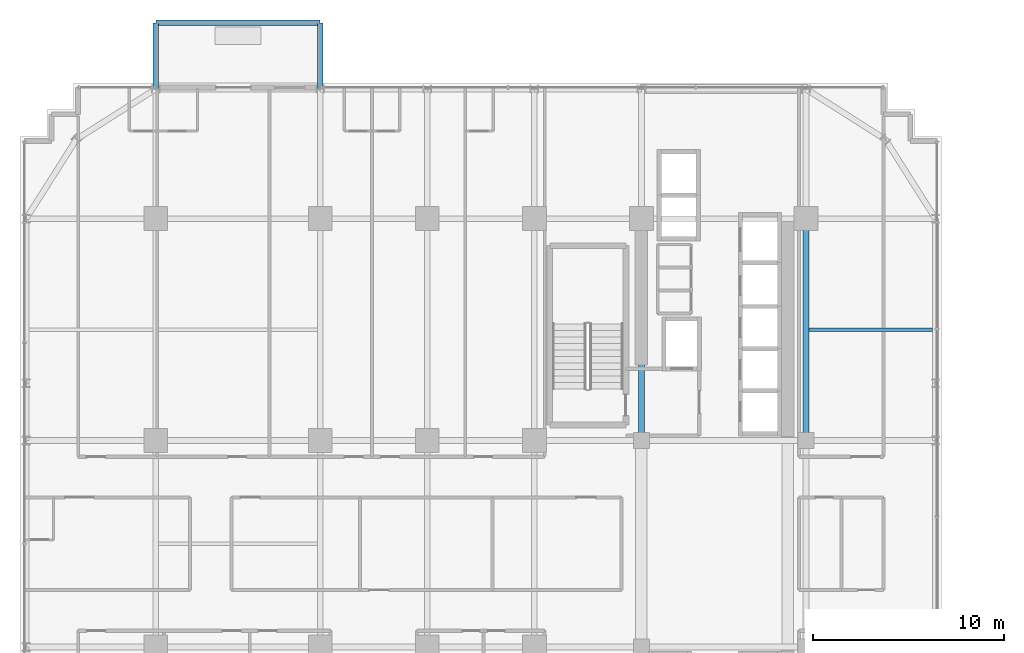
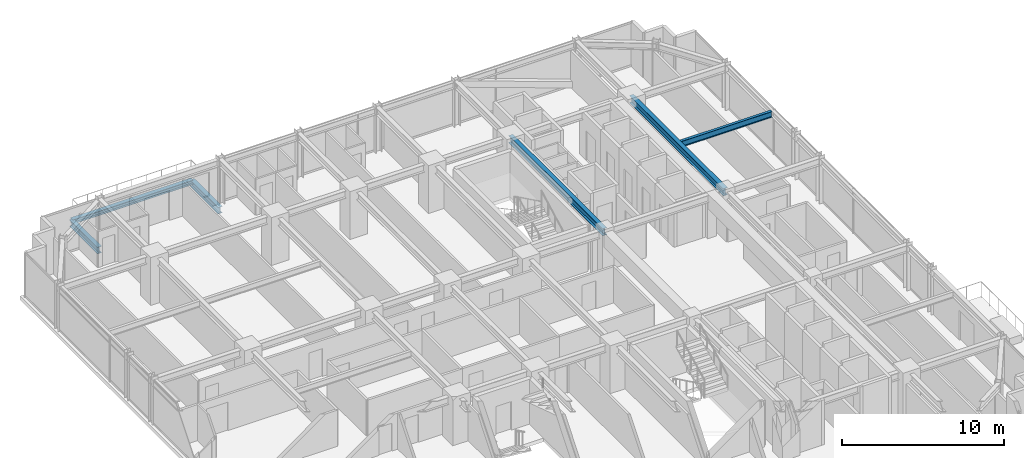
# One storey, part 22 of 34: 6 beams.
"""IFC4 building model written with IfcOpenShell, lengths in metres."""

from ifc_helpers import new_model, si_unit, direction, frame, origin, origin_2d, place, context, subcontext, project, spatial, i_section, extrude, source, transform, mapped, material, material_profile, profile_set, type_object, element, save


model = new_model("IFC4")

# Units and contexts
model_context = context("Model", 3, precision=1e-05, world=origin(), true_north=direction((0.0, 1.0)))
body_context = subcontext(model_context, "Body", "Model", "MODEL_VIEW")
ifc_project = project(units=[si_unit("LENGTHUNIT", "METRE"), si_unit("AREAUNIT", "SQUARE_METRE"), si_unit("VOLUMEUNIT", "CUBIC_METRE"), si_unit("PLANEANGLEUNIT", "RADIAN"), si_unit("MASSUNIT", "GRAM", prefix="KILO")], contexts=[model_context])

# Site, building, storey
site_placement = place(None, origin())
site = spatial("IfcSite", under=ifc_project, at=site_placement, CompositionType="ELEMENT")
building_placement = place(site_placement, origin())
building = spatial("IfcBuilding", under=site, at=building_placement, Name="Nahalor Promenade Grand Hotel", CompositionType="ELEMENT")
storey_placement = place(building_placement, frame((0.0, 0.0, 99.25)))
storey = spatial("IfcBuildingStorey", under=building, at=storey_placement, Name="L24", CompositionType="ELEMENT", Elevation=99.25)

# Beams
ifc_material = material(Name="Steel S355JR", Category="steel")
ifc_material_profile_1 = material_profile(ifc_material, i_section(OverallWidth=0.3, OverallDepth=0.32, WebThickness=0.0115, FlangeThickness=0.0205, at=origin_2d()), Name="HEB 320")
ifc_profile_set_1 = profile_set([ifc_material_profile_1], Name="Steel S355JR")
beam_type_1 = type_object("IfcBeamType", Name="Beam-BalcEdge-HEB320", PredefinedType="SPANDREL", material=ifc_profile_set_1)
shared_shape_1 = source(origin(), body_context, "Body", "SweptSolid", [
    extrude(i_section(OverallWidth=0.3, OverallDepth=0.32, WebThickness=0.0115, FlangeThickness=0.0205, at=origin_2d()), origin(), (0.0, 0.0, 1.0), 8.60009765625),
])
beam_1_placement = place(storey_placement, frame((-17.0, 27.239990234375, -0.43994140625), z_axis=(1.0, 0.0, 0.0), x_axis=(0.0, 1.0, 0.0)))
element("IfcBeam", 1, at=beam_1_placement, inside=storey, type_object=beam_type_1, Name="BM-L24-BC-01-F", PredefinedType="SPANDREL", context=body_context, shape_type="MappedRepresentation", body=[
    mapped(shared_shape_1, transform((0.0, 0.0, 0.0), scale=1.0)),
])
ifc_material_profile_2 = material_profile(ifc_material, i_section(OverallWidth=0.3, OverallDepth=0.5, WebThickness=0.0145, FlangeThickness=0.028, at=origin_2d()), Name="HEB 500")
ifc_profile_set_2 = profile_set([ifc_material_profile_2], Name="Steel S355JR")
beam_type_2 = type_object("IfcBeamType", Name="Beam-Outrigger-HEB500", PredefinedType="BEAM", material=ifc_profile_set_2)
shared_shape_2 = source(origin(), body_context, "Body", "SweptSolid", [
    extrude(i_section(OverallWidth=0.3, OverallDepth=0.5, WebThickness=0.0145, FlangeThickness=0.028, at=origin_2d()), origin(), (0.0, 0.0, 1.0), 3.4599609375),
])
for number, where, z_axis, x_axis, name in (
    (2, (-17.0, 23.780029296875, -0.530029296875), (0.0, 1.0, 0.0), (-1.0, 0.0, 0.0), "BM-L24-BC-01-1"),
    (3, (-8.39990234375, 23.780029296875, -0.530029296875), (0.0, 1.0, 0.0), (-1.0, 0.0, 0.0), "BM-L24-BC-01-2"),
):
    element("IfcBeam", number, at=place(storey_placement, frame(where, z_axis=z_axis, x_axis=x_axis)), inside=storey, type_object=beam_type_2, Name=name, PredefinedType="BEAM", context=body_context, shape_type="MappedRepresentation", body=[
        mapped(shared_shape_2, transform((0.0, 0.0, 0.0), scale=1.0)),
    ])
ifc_material_profile_3 = material_profile(ifc_material, i_section(OverallWidth=0.3, OverallDepth=0.55, WebThickness=0.015, FlangeThickness=0.029, at=origin_2d()), Name="HEB 550")
ifc_profile_set_3 = profile_set([ifc_material_profile_3], Name="Steel S355JR")
beam_type_3 = type_object("IfcBeamType", Name="Beam-Girder-HEB550", PredefinedType="BEAM", material=ifc_profile_set_3)
shared_shape_3 = source(origin(), body_context, "Body", "SweptSolid", [
    extrude(i_section(OverallWidth=0.3, OverallDepth=0.55, WebThickness=0.015, FlangeThickness=0.029, at=origin_2d()), origin(), (0.0, 0.0, 1.0), 11.60009765625),
])
for number, where, z_axis, x_axis, name in (
    (4, (8.39990234375, 5.39990234375, 3.10498046875), (0.0, 1.0, 0.0), (-1.0, 0.0, 0.0), "BM-L24-GY-4-3"),
    (5, (17.0, 5.39990234375, 3.10498046875), (0.0, 1.0, 0.0), (-1.0, 0.0, 0.0), "BM-L24-GY-5-3"),
):
    element("IfcBeam", number, at=place(storey_placement, frame(where, z_axis=z_axis, x_axis=x_axis)), inside=storey, type_object=beam_type_3, Name=name, PredefinedType="BEAM", context=body_context, shape_type="MappedRepresentation", body=[
        mapped(shared_shape_3, transform((0.0, 0.0, 0.0), scale=1.0)),
    ])
ifc_material_profile_4 = material_profile(ifc_material, i_section(OverallWidth=0.19, OverallDepth=0.45, WebThickness=0.0094, FlangeThickness=0.0146, at=origin_2d()), Name="IPE 450")
ifc_profile_set_4 = profile_set([ifc_material_profile_4], Name="Steel S355JR")
beam_type_4 = type_object("IfcBeamType", Name="Beam-Joist-IPE450", PredefinedType="JOIST", material=ifc_profile_set_4)
shared_shape_4 = source(origin(), body_context, "Body", "SweptSolid", [
    extrude(i_section(OverallWidth=0.19, OverallDepth=0.45, WebThickness=0.0094, FlangeThickness=0.0146, at=origin_2d()), origin(), (0.0, 0.0, 1.0), 6.47998046875),
])
beam_2_placement = place(storey_placement, frame((17.14990234375, 11.199951171875, 3.155029296875), z_axis=(1.0, 0.0, 0.0), x_axis=(0.0, 1.0, 0.0)))
element("IfcBeam", 6, at=beam_2_placement, inside=storey, type_object=beam_type_4, Name="BM-L24-JSE-1-2", PredefinedType="JOIST", context=body_context, shape_type="MappedRepresentation", body=[
    mapped(shared_shape_4, transform((0.0, 0.0, 0.0), scale=1.0)),
])

save(model, "model.ifc")
